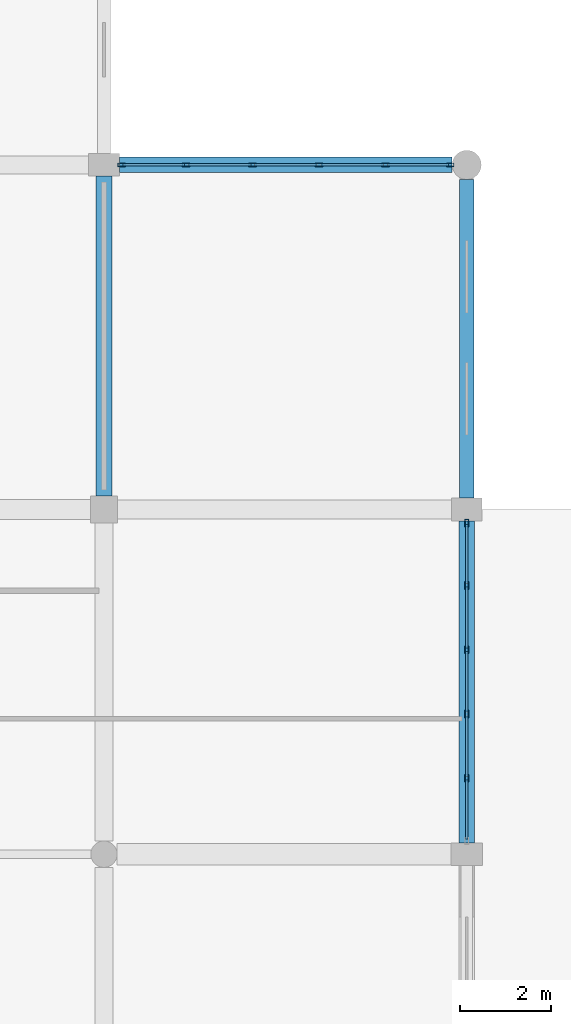
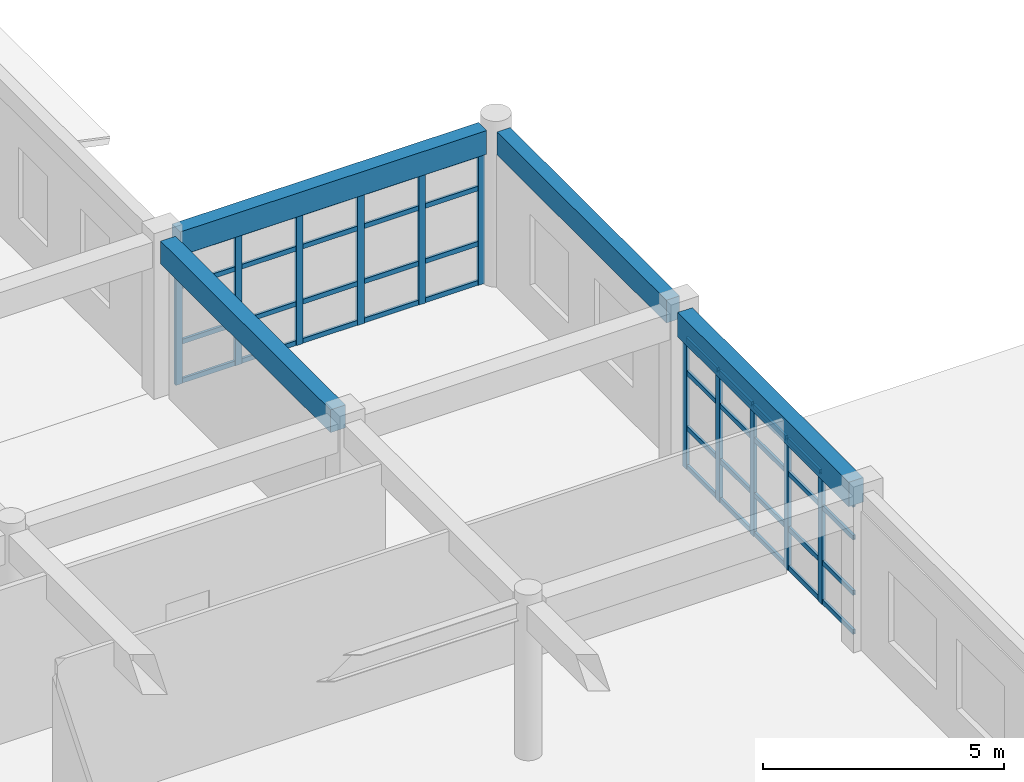
# One storey, part 24 of 121: 51 members, 4 beams, 2 elements without a shape of their own.
"""IFC4 building model written with IfcOpenShell, lengths in metres."""

from ifc_helpers import new_model, si_unit, direction, frame, origin, origin_2d, place, context, subcontext, project, spatial, rectangle, hollow_rectangle, extrude, material, material_profile, profile_set, type_object, element, aggregate, save


model = new_model("IFC4")

# Units and contexts
model_context = context("Model", 3, precision=1e-05, world=origin(), true_north=direction((0.0, 1.0)))
body_context = subcontext(model_context, "Body", "Model", "MODEL_VIEW")
ifc_project = project(units=[si_unit("LENGTHUNIT", "METRE"), si_unit("AREAUNIT", "SQUARE_METRE"), si_unit("VOLUMEUNIT", "CUBIC_METRE"), si_unit("PLANEANGLEUNIT", "RADIAN"), si_unit("MASSUNIT", "GRAM", prefix="KILO")], contexts=[model_context])

# Site, building, storey
site_placement = place(None, origin())
site = spatial("IfcSite", under=ifc_project, at=site_placement, CompositionType="ELEMENT")
building_placement = place(site_placement, origin())
building = spatial("IfcBuilding", under=site, at=building_placement, Name="Kharva Crest Polytechnic", CompositionType="ELEMENT")
storey_placement = place(building_placement, frame((0.0, 0.0, 13.199951171875)))
storey = spatial("IfcBuildingStorey", under=building, at=storey_placement, Name="L03", CompositionType="ELEMENT", Elevation=13.199951171875)

# Beam
ifc_material_1 = material(Name="Concrete C35/45", Category="concrete")
ifc_material_profile_1 = material_profile(ifc_material_1, rectangle(XDim=0.360107421875, YDim=0.580078125, at=origin_2d()), Name="RECT 360 X 580")
ifc_profile_set_1 = profile_set([ifc_material_profile_1], Name="Concrete C35/45")
beam_type_1 = type_object("IfcBeamType", Name="BM-RC-360X580", PredefinedType="BEAM", material=ifc_profile_set_1)
beam_1_placement = place(storey_placement, frame((48.0, 23.10009765625, 3.670166015625), z_axis=(0.0, 1.0, 0.0), x_axis=(-1.0, 0.0, 0.0)))
element("IfcBeam", 1, at=beam_1_placement, inside=storey, type_object=beam_type_1, Name="L03 Girder 7/D-E", PredefinedType="BEAM", context=body_context, shape_type="SweptSolid", body=[
    extrude(rectangle(XDim=0.360107421875, YDim=0.580078125, at=origin_2d()), origin(), (0.0, 0.0, 1.0), 7.0498046875),
])

# Curtain wall, members
ifc_material_2 = material(Name="Tempered insulated glass", Category="glass")
curtain_wall_type = type_object("IfcCurtainWallType", Name="CW-SYS-COURT", PredefinedType="USERDEFINED", material=ifc_material_2)
curtain_wall_1_placement = place(storey_placement, origin())
curtain_wall_1 = element("IfcCurtainWall", 2, at=curtain_wall_1_placement, inside=storey, type_object=curtain_wall_type, Name="L03 Glazed Curtain Wall CW-125", ObjectType="CURTAIN WALL", PredefinedType="USERDEFINED")
ifc_material_3 = material(Name="Steel S355", Category="steel")
ifc_material_profile_2 = material_profile(ifc_material_3, hollow_rectangle(XDim=0.080078125, YDim=0.159912109375, WallThickness=0.0048828125, at=origin_2d()), Name="RHS 160X80X5.0")
ifc_profile_set_2 = profile_set([ifc_material_profile_2], Name="Steel S355")
member_type_1 = type_object("IfcMemberType", Name="CWM-RHS160X80", PredefinedType="MULLION", material=ifc_profile_set_2)
member_1_placement = place(storey_placement, frame((56.0, 16.873046875, 0.0), z_axis=(0.0, 0.0, 1.0), x_axis=(-1.0, 0.0, 0.0)))
member_1 = element("IfcMember", 3, at=member_1_placement, type_object=member_type_1, Name="CW-125 mullion 2", PredefinedType="MULLION", context=body_context, shape_type="SweptSolid", body=[
    extrude(hollow_rectangle(XDim=0.080078125, YDim=0.159912109375, WallThickness=0.0048828125, at=origin_2d()), origin(), (0.0, 0.0, 1.0), 3.340087890625),
])
member_2_placement = place(storey_placement, frame((56.0, 18.291015625, 0.0), z_axis=(0.0, 0.0, 1.0), x_axis=(-1.0, 0.0, 0.0)))
member_2 = element("IfcMember", 4, at=member_2_placement, type_object=member_type_1, Name="CW-125 mullion 3", PredefinedType="MULLION", context=body_context, shape_type="SweptSolid", body=[
    extrude(hollow_rectangle(XDim=0.080078125, YDim=0.159912109375, WallThickness=0.0048828125, at=origin_2d()), origin(), (0.0, 0.0, 1.0), 3.340087890625),
])
member_3_placement = place(storey_placement, frame((56.0, 19.708984375, 0.0), z_axis=(0.0, 0.0, 1.0), x_axis=(-1.0, 0.0, 0.0)))
member_3 = element("IfcMember", 5, at=member_3_placement, type_object=member_type_1, Name="CW-125 mullion 4", PredefinedType="MULLION", context=body_context, shape_type="SweptSolid", body=[
    extrude(hollow_rectangle(XDim=0.080078125, YDim=0.159912109375, WallThickness=0.0048828125, at=origin_2d()), origin(), (0.0, 0.0, 1.0), 3.340087890625),
])
member_4_placement = place(storey_placement, frame((56.0, 21.126953125, 0.0), z_axis=(0.0, 0.0, 1.0), x_axis=(-1.0, 0.0, 0.0)))
member_4 = element("IfcMember", 6, at=member_4_placement, type_object=member_type_1, Name="CW-125 mullion 5", PredefinedType="MULLION", context=body_context, shape_type="SweptSolid", body=[
    extrude(hollow_rectangle(XDim=0.080078125, YDim=0.159912109375, WallThickness=0.0048828125, at=origin_2d()), origin(), (0.0, 0.0, 1.0), 3.340087890625),
])
member_5_placement = place(storey_placement, frame((56.0, 22.5048828125, 0.0), z_axis=(0.0, 0.0, 1.0), x_axis=(-1.0, 0.0, 0.0)))
member_5 = element("IfcMember", 7, at=member_5_placement, type_object=member_type_1, Name="CW-125 mullion 6", PredefinedType="MULLION", context=body_context, shape_type="SweptSolid", body=[
    extrude(hollow_rectangle(XDim=0.080078125, YDim=0.159912109375, WallThickness=0.0048828125, at=origin_2d()), origin(), (0.0, 0.0, 1.0), 3.340087890625),
])

curtain_wall_2_placement = place(storey_placement, origin())
curtain_wall_2 = element("IfcCurtainWall", 8, at=curtain_wall_2_placement, inside=storey, type_object=curtain_wall_type, Name="L03 Glazed Curtain Wall CW-126", ObjectType="CURTAIN WALL", PredefinedType="USERDEFINED")
member_6_placement = place(storey_placement, frame((55.635009765625, 30.39990234375, 0.0), z_axis=(0.0, 0.0, 1.0), x_axis=(0.0, -1.0, 0.0)))
member_6 = element("IfcMember", 9, at=member_6_placement, type_object=member_type_1, Name="CW-126 mullion 1", PredefinedType="MULLION", context=body_context, shape_type="SweptSolid", body=[
    extrude(hollow_rectangle(XDim=0.080078125, YDim=0.159912109375, WallThickness=0.0048828125, at=origin_2d()), origin(), (0.0, 0.0, 1.0), 3.360107421875),
])
member_7_placement = place(storey_placement, frame((54.208984375, 30.39990234375, 0.0), z_axis=(0.0, 0.0, 1.0), x_axis=(0.0, -1.0, 0.0)))
member_7 = element("IfcMember", 10, at=member_7_placement, type_object=member_type_1, Name="CW-126 mullion 2", PredefinedType="MULLION", context=body_context, shape_type="SweptSolid", body=[
    extrude(hollow_rectangle(XDim=0.080078125, YDim=0.159912109375, WallThickness=0.0048828125, at=origin_2d()), origin(), (0.0, 0.0, 1.0), 3.360107421875),
])
member_8_placement = place(storey_placement, frame((52.742919921875, 30.39990234375, 0.0), z_axis=(0.0, 0.0, 1.0), x_axis=(0.0, -1.0, 0.0)))
member_8 = element("IfcMember", 11, at=member_8_placement, type_object=member_type_1, Name="CW-126 mullion 3", PredefinedType="MULLION", context=body_context, shape_type="SweptSolid", body=[
    extrude(hollow_rectangle(XDim=0.080078125, YDim=0.159912109375, WallThickness=0.0048828125, at=origin_2d()), origin(), (0.0, 0.0, 1.0), 3.360107421875),
])
member_9_placement = place(storey_placement, frame((51.277099609375, 30.39990234375, 0.0), z_axis=(0.0, 0.0, 1.0), x_axis=(0.0, -1.0, 0.0)))
member_9 = element("IfcMember", 12, at=member_9_placement, type_object=member_type_1, Name="CW-126 mullion 4", PredefinedType="MULLION", context=body_context, shape_type="SweptSolid", body=[
    extrude(hollow_rectangle(XDim=0.080078125, YDim=0.159912109375, WallThickness=0.0048828125, at=origin_2d()), origin(), (0.0, 0.0, 1.0), 3.360107421875),
])
member_10_placement = place(storey_placement, frame((49.81103515625, 30.39990234375, 0.0), z_axis=(0.0, 0.0, 1.0), x_axis=(0.0, -1.0, 0.0)))
member_10 = element("IfcMember", 13, at=member_10_placement, type_object=member_type_1, Name="CW-126 mullion 5", PredefinedType="MULLION", context=body_context, shape_type="SweptSolid", body=[
    extrude(hollow_rectangle(XDim=0.080078125, YDim=0.159912109375, WallThickness=0.0048828125, at=origin_2d()), origin(), (0.0, 0.0, 1.0), 3.360107421875),
])
member_11_placement = place(storey_placement, frame((48.385009765625, 30.39990234375, 0.0), z_axis=(0.0, 0.0, 1.0), x_axis=(0.0, -1.0, 0.0)))
member_11 = element("IfcMember", 14, at=member_11_placement, type_object=member_type_1, Name="CW-126 mullion 6", PredefinedType="MULLION", context=body_context, shape_type="SweptSolid", body=[
    extrude(hollow_rectangle(XDim=0.080078125, YDim=0.159912109375, WallThickness=0.0048828125, at=origin_2d()), origin(), (0.0, 0.0, 1.0), 3.360107421875),
])

# Member
ifc_material_profile_3 = material_profile(ifc_material_3, hollow_rectangle(XDim=0.06005859375, YDim=0.1201171875, WallThickness=0.00390625, at=origin_2d()), Name="RHS 120X60X4.0")
ifc_profile_set_3 = profile_set([ifc_material_profile_3], Name="Steel S355")
member_type_2 = type_object("IfcMemberType", Name="CWT-RHS120X60", PredefinedType="USERDEFINED", material=ifc_profile_set_3)
member_12_placement = place(storey_placement, frame((56.0, 15.534912109375, 0.06005859375), z_axis=(0.0, 1.0, 0.0), x_axis=(-1.0, 0.0, 0.0)))
member_12 = element("IfcMember", 15, at=member_12_placement, type_object=member_type_2, Name="CW-125 transom 1.1", ObjectType="TRANSOM", PredefinedType="USERDEFINED", context=body_context, shape_type="SweptSolid", body=[
    extrude(hollow_rectangle(XDim=0.06005859375, YDim=0.1201171875, WallThickness=0.00390625, at=origin_2d()), origin(), (0.0, 0.0, 1.0), 1.298095703125),
])

member_13_placement = place(storey_placement, frame((56.0, 15.534912109375, 1.050048828125), z_axis=(0.0, 1.0, 0.0), x_axis=(-1.0, 0.0, 0.0)))
member_13 = element("IfcMember", 16, at=member_13_placement, type_object=member_type_2, Name="CW-125 transom 1.2", ObjectType="TRANSOM", PredefinedType="USERDEFINED", context=body_context, shape_type="SweptSolid", body=[
    extrude(hollow_rectangle(XDim=0.06005859375, YDim=0.1201171875, WallThickness=0.00390625, at=origin_2d()), origin(), (0.0, 0.0, 1.0), 1.298095703125),
])

member_14_placement = place(storey_placement, frame((56.0, 15.534912109375, 2.449951171875), z_axis=(0.0, 1.0, 0.0), x_axis=(-1.0, 0.0, 0.0)))
member_14 = element("IfcMember", 17, at=member_14_placement, type_object=member_type_2, Name="CW-125 transom 1.3", ObjectType="TRANSOM", PredefinedType="USERDEFINED", context=body_context, shape_type="SweptSolid", body=[
    extrude(hollow_rectangle(XDim=0.06005859375, YDim=0.1201171875, WallThickness=0.00390625, at=origin_2d()), origin(), (0.0, 0.0, 1.0), 1.298095703125),
])

member_15_placement = place(storey_placement, frame((56.0, 15.534912109375, 3.280029296875), z_axis=(0.0, 1.0, 0.0), x_axis=(-1.0, 0.0, 0.0)))
member_15 = element("IfcMember", 18, at=member_15_placement, type_object=member_type_2, Name="CW-125 transom 1.4", ObjectType="TRANSOM", PredefinedType="USERDEFINED", context=body_context, shape_type="SweptSolid", body=[
    extrude(hollow_rectangle(XDim=0.06005859375, YDim=0.1201171875, WallThickness=0.00390625, at=origin_2d()), origin(), (0.0, 0.0, 1.0), 1.298095703125),
])

member_16_placement = place(storey_placement, frame((56.0, 16.9130859375, 0.06005859375), z_axis=(0.0, 1.0, 0.0), x_axis=(-1.0, 0.0, 0.0)))
member_16 = element("IfcMember", 19, at=member_16_placement, type_object=member_type_2, Name="CW-125 transom 2.1", ObjectType="TRANSOM", PredefinedType="USERDEFINED", context=body_context, shape_type="SweptSolid", body=[
    extrude(hollow_rectangle(XDim=0.06005859375, YDim=0.1201171875, WallThickness=0.00390625, at=origin_2d()), origin(), (0.0, 0.0, 1.0), 1.337890625),
])

member_17_placement = place(storey_placement, frame((56.0, 16.9130859375, 1.050048828125), z_axis=(0.0, 1.0, 0.0), x_axis=(-1.0, 0.0, 0.0)))
member_17 = element("IfcMember", 20, at=member_17_placement, type_object=member_type_2, Name="CW-125 transom 2.2", ObjectType="TRANSOM", PredefinedType="USERDEFINED", context=body_context, shape_type="SweptSolid", body=[
    extrude(hollow_rectangle(XDim=0.06005859375, YDim=0.1201171875, WallThickness=0.00390625, at=origin_2d()), origin(), (0.0, 0.0, 1.0), 1.337890625),
])

member_18_placement = place(storey_placement, frame((56.0, 16.9130859375, 2.449951171875), z_axis=(0.0, 1.0, 0.0), x_axis=(-1.0, 0.0, 0.0)))
member_18 = element("IfcMember", 21, at=member_18_placement, type_object=member_type_2, Name="CW-125 transom 2.3", ObjectType="TRANSOM", PredefinedType="USERDEFINED", context=body_context, shape_type="SweptSolid", body=[
    extrude(hollow_rectangle(XDim=0.06005859375, YDim=0.1201171875, WallThickness=0.00390625, at=origin_2d()), origin(), (0.0, 0.0, 1.0), 1.337890625),
])

member_19_placement = place(storey_placement, frame((56.0, 16.9130859375, 3.280029296875), z_axis=(0.0, 1.0, 0.0), x_axis=(-1.0, 0.0, 0.0)))
member_19 = element("IfcMember", 22, at=member_19_placement, type_object=member_type_2, Name="CW-125 transom 2.4", ObjectType="TRANSOM", PredefinedType="USERDEFINED", context=body_context, shape_type="SweptSolid", body=[
    extrude(hollow_rectangle(XDim=0.06005859375, YDim=0.1201171875, WallThickness=0.00390625, at=origin_2d()), origin(), (0.0, 0.0, 1.0), 1.337890625),
])

member_20_placement = place(storey_placement, frame((56.0, 18.3310546875, 0.06005859375), z_axis=(0.0, 1.0, 0.0), x_axis=(-1.0, 0.0, 0.0)))
member_20 = element("IfcMember", 23, at=member_20_placement, type_object=member_type_2, Name="CW-125 transom 3.1", ObjectType="TRANSOM", PredefinedType="USERDEFINED", context=body_context, shape_type="SweptSolid", body=[
    extrude(hollow_rectangle(XDim=0.06005859375, YDim=0.1201171875, WallThickness=0.00390625, at=origin_2d()), origin(), (0.0, 0.0, 1.0), 1.337890625),
])

member_21_placement = place(storey_placement, frame((56.0, 18.3310546875, 1.050048828125), z_axis=(0.0, 1.0, 0.0), x_axis=(-1.0, 0.0, 0.0)))
member_21 = element("IfcMember", 24, at=member_21_placement, type_object=member_type_2, Name="CW-125 transom 3.2", ObjectType="TRANSOM", PredefinedType="USERDEFINED", context=body_context, shape_type="SweptSolid", body=[
    extrude(hollow_rectangle(XDim=0.06005859375, YDim=0.1201171875, WallThickness=0.00390625, at=origin_2d()), origin(), (0.0, 0.0, 1.0), 1.337890625),
])

member_22_placement = place(storey_placement, frame((56.0, 18.3310546875, 2.449951171875), z_axis=(0.0, 1.0, 0.0), x_axis=(-1.0, 0.0, 0.0)))
member_22 = element("IfcMember", 25, at=member_22_placement, type_object=member_type_2, Name="CW-125 transom 3.3", ObjectType="TRANSOM", PredefinedType="USERDEFINED", context=body_context, shape_type="SweptSolid", body=[
    extrude(hollow_rectangle(XDim=0.06005859375, YDim=0.1201171875, WallThickness=0.00390625, at=origin_2d()), origin(), (0.0, 0.0, 1.0), 1.337890625),
])

member_23_placement = place(storey_placement, frame((56.0, 18.3310546875, 3.280029296875), z_axis=(0.0, 1.0, 0.0), x_axis=(-1.0, 0.0, 0.0)))
member_23 = element("IfcMember", 26, at=member_23_placement, type_object=member_type_2, Name="CW-125 transom 3.4", ObjectType="TRANSOM", PredefinedType="USERDEFINED", context=body_context, shape_type="SweptSolid", body=[
    extrude(hollow_rectangle(XDim=0.06005859375, YDim=0.1201171875, WallThickness=0.00390625, at=origin_2d()), origin(), (0.0, 0.0, 1.0), 1.337890625),
])

member_24_placement = place(storey_placement, frame((56.0, 19.7490234375, 0.06005859375), z_axis=(0.0, 1.0, 0.0), x_axis=(-1.0, 0.0, 0.0)))
member_24 = element("IfcMember", 27, at=member_24_placement, type_object=member_type_2, Name="CW-125 transom 4.1", ObjectType="TRANSOM", PredefinedType="USERDEFINED", context=body_context, shape_type="SweptSolid", body=[
    extrude(hollow_rectangle(XDim=0.06005859375, YDim=0.1201171875, WallThickness=0.00390625, at=origin_2d()), origin(), (0.0, 0.0, 1.0), 1.337890625),
])

member_25_placement = place(storey_placement, frame((56.0, 19.7490234375, 1.050048828125), z_axis=(0.0, 1.0, 0.0), x_axis=(-1.0, 0.0, 0.0)))
member_25 = element("IfcMember", 28, at=member_25_placement, type_object=member_type_2, Name="CW-125 transom 4.2", ObjectType="TRANSOM", PredefinedType="USERDEFINED", context=body_context, shape_type="SweptSolid", body=[
    extrude(hollow_rectangle(XDim=0.06005859375, YDim=0.1201171875, WallThickness=0.00390625, at=origin_2d()), origin(), (0.0, 0.0, 1.0), 1.337890625),
])

member_26_placement = place(storey_placement, frame((56.0, 19.7490234375, 2.449951171875), z_axis=(0.0, 1.0, 0.0), x_axis=(-1.0, 0.0, 0.0)))
member_26 = element("IfcMember", 29, at=member_26_placement, type_object=member_type_2, Name="CW-125 transom 4.3", ObjectType="TRANSOM", PredefinedType="USERDEFINED", context=body_context, shape_type="SweptSolid", body=[
    extrude(hollow_rectangle(XDim=0.06005859375, YDim=0.1201171875, WallThickness=0.00390625, at=origin_2d()), origin(), (0.0, 0.0, 1.0), 1.337890625),
])

member_27_placement = place(storey_placement, frame((56.0, 19.7490234375, 3.280029296875), z_axis=(0.0, 1.0, 0.0), x_axis=(-1.0, 0.0, 0.0)))
member_27 = element("IfcMember", 30, at=member_27_placement, type_object=member_type_2, Name="CW-125 transom 4.4", ObjectType="TRANSOM", PredefinedType="USERDEFINED", context=body_context, shape_type="SweptSolid", body=[
    extrude(hollow_rectangle(XDim=0.06005859375, YDim=0.1201171875, WallThickness=0.00390625, at=origin_2d()), origin(), (0.0, 0.0, 1.0), 1.337890625),
])

member_28_placement = place(storey_placement, frame((56.0, 21.1669921875, 0.06005859375), z_axis=(0.0, 1.0, 0.0), x_axis=(-1.0, 0.0, 0.0)))
member_28 = element("IfcMember", 31, at=member_28_placement, type_object=member_type_2, Name="CW-125 transom 5.1", ObjectType="TRANSOM", PredefinedType="USERDEFINED", context=body_context, shape_type="SweptSolid", body=[
    extrude(hollow_rectangle(XDim=0.06005859375, YDim=0.1201171875, WallThickness=0.00390625, at=origin_2d()), origin(), (0.0, 0.0, 1.0), 1.298095703125),
])

member_29_placement = place(storey_placement, frame((56.0, 21.1669921875, 1.050048828125), z_axis=(0.0, 1.0, 0.0), x_axis=(-1.0, 0.0, 0.0)))
member_29 = element("IfcMember", 32, at=member_29_placement, type_object=member_type_2, Name="CW-125 transom 5.2", ObjectType="TRANSOM", PredefinedType="USERDEFINED", context=body_context, shape_type="SweptSolid", body=[
    extrude(hollow_rectangle(XDim=0.06005859375, YDim=0.1201171875, WallThickness=0.00390625, at=origin_2d()), origin(), (0.0, 0.0, 1.0), 1.298095703125),
])

member_30_placement = place(storey_placement, frame((56.0, 21.1669921875, 2.449951171875), z_axis=(0.0, 1.0, 0.0), x_axis=(-1.0, 0.0, 0.0)))
member_30 = element("IfcMember", 33, at=member_30_placement, type_object=member_type_2, Name="CW-125 transom 5.3", ObjectType="TRANSOM", PredefinedType="USERDEFINED", context=body_context, shape_type="SweptSolid", body=[
    extrude(hollow_rectangle(XDim=0.06005859375, YDim=0.1201171875, WallThickness=0.00390625, at=origin_2d()), origin(), (0.0, 0.0, 1.0), 1.298095703125),
])

member_31_placement = place(storey_placement, frame((56.0, 21.1669921875, 3.280029296875), z_axis=(0.0, 1.0, 0.0), x_axis=(-1.0, 0.0, 0.0)))
member_31 = element("IfcMember", 34, at=member_31_placement, type_object=member_type_2, Name="CW-125 transom 5.4", ObjectType="TRANSOM", PredefinedType="USERDEFINED", context=body_context, shape_type="SweptSolid", body=[
    extrude(hollow_rectangle(XDim=0.06005859375, YDim=0.1201171875, WallThickness=0.00390625, at=origin_2d()), origin(), (0.0, 0.0, 1.0), 1.298095703125),
])

aggregate(curtain_wall_1, [member_1, member_2, member_3, member_4, member_5, member_12, member_13, member_14, member_15, member_16, member_17, member_18, member_19, member_20, member_21, member_22, member_23, member_24, member_25, member_26, member_27, member_28, member_29, member_30, member_31])

member_32_placement = place(storey_placement, frame((55.594970703125, 30.39990234375, 0.06005859375), z_axis=(-1.0, 0.0, 0.0), x_axis=(0.0, -1.0, 0.0)))
member_32 = element("IfcMember", 35, at=member_32_placement, type_object=member_type_2, Name="CW-126 transom 1.1", ObjectType="TRANSOM", PredefinedType="USERDEFINED", context=body_context, shape_type="SweptSolid", body=[
    extrude(hollow_rectangle(XDim=0.06005859375, YDim=0.1201171875, WallThickness=0.00390625, at=origin_2d()), origin(), (0.0, 0.0, 1.0), 1.345947265625),
])

member_33_placement = place(storey_placement, frame((55.594970703125, 30.39990234375, 1.050048828125), z_axis=(-1.0, 0.0, 0.0), x_axis=(0.0, -1.0, 0.0)))
member_33 = element("IfcMember", 36, at=member_33_placement, type_object=member_type_2, Name="CW-126 transom 1.2", ObjectType="TRANSOM", PredefinedType="USERDEFINED", context=body_context, shape_type="SweptSolid", body=[
    extrude(hollow_rectangle(XDim=0.06005859375, YDim=0.1201171875, WallThickness=0.00390625, at=origin_2d()), origin(), (0.0, 0.0, 1.0), 1.345947265625),
])

member_34_placement = place(storey_placement, frame((55.594970703125, 30.39990234375, 2.449951171875), z_axis=(-1.0, 0.0, 0.0), x_axis=(0.0, -1.0, 0.0)))
member_34 = element("IfcMember", 37, at=member_34_placement, type_object=member_type_2, Name="CW-126 transom 1.3", ObjectType="TRANSOM", PredefinedType="USERDEFINED", context=body_context, shape_type="SweptSolid", body=[
    extrude(hollow_rectangle(XDim=0.06005859375, YDim=0.1201171875, WallThickness=0.00390625, at=origin_2d()), origin(), (0.0, 0.0, 1.0), 1.345947265625),
])

member_35_placement = place(storey_placement, frame((55.594970703125, 30.39990234375, 3.300048828125), z_axis=(-1.0, 0.0, 0.0), x_axis=(0.0, -1.0, 0.0)))
member_35 = element("IfcMember", 38, at=member_35_placement, type_object=member_type_2, Name="CW-126 transom 1.4", ObjectType="TRANSOM", PredefinedType="USERDEFINED", context=body_context, shape_type="SweptSolid", body=[
    extrude(hollow_rectangle(XDim=0.06005859375, YDim=0.1201171875, WallThickness=0.00390625, at=origin_2d()), origin(), (0.0, 0.0, 1.0), 1.345947265625),
])

member_36_placement = place(storey_placement, frame((54.1689453125, 30.39990234375, 0.06005859375), z_axis=(-1.0, 0.0, 0.0), x_axis=(0.0, -1.0, 0.0)))
member_36 = element("IfcMember", 39, at=member_36_placement, type_object=member_type_2, Name="CW-126 transom 2.1", ObjectType="TRANSOM", PredefinedType="USERDEFINED", context=body_context, shape_type="SweptSolid", body=[
    extrude(hollow_rectangle(XDim=0.06005859375, YDim=0.1201171875, WallThickness=0.00390625, at=origin_2d()), origin(), (0.0, 0.0, 1.0), 1.385986328125),
])

member_37_placement = place(storey_placement, frame((54.1689453125, 30.39990234375, 1.050048828125), z_axis=(-1.0, 0.0, 0.0), x_axis=(0.0, -1.0, 0.0)))
member_37 = element("IfcMember", 40, at=member_37_placement, type_object=member_type_2, Name="CW-126 transom 2.2", ObjectType="TRANSOM", PredefinedType="USERDEFINED", context=body_context, shape_type="SweptSolid", body=[
    extrude(hollow_rectangle(XDim=0.06005859375, YDim=0.1201171875, WallThickness=0.00390625, at=origin_2d()), origin(), (0.0, 0.0, 1.0), 1.385986328125),
])

member_38_placement = place(storey_placement, frame((54.1689453125, 30.39990234375, 2.449951171875), z_axis=(-1.0, 0.0, 0.0), x_axis=(0.0, -1.0, 0.0)))
member_38 = element("IfcMember", 41, at=member_38_placement, type_object=member_type_2, Name="CW-126 transom 2.3", ObjectType="TRANSOM", PredefinedType="USERDEFINED", context=body_context, shape_type="SweptSolid", body=[
    extrude(hollow_rectangle(XDim=0.06005859375, YDim=0.1201171875, WallThickness=0.00390625, at=origin_2d()), origin(), (0.0, 0.0, 1.0), 1.385986328125),
])

member_39_placement = place(storey_placement, frame((54.1689453125, 30.39990234375, 3.300048828125), z_axis=(-1.0, 0.0, 0.0), x_axis=(0.0, -1.0, 0.0)))
member_39 = element("IfcMember", 42, at=member_39_placement, type_object=member_type_2, Name="CW-126 transom 2.4", ObjectType="TRANSOM", PredefinedType="USERDEFINED", context=body_context, shape_type="SweptSolid", body=[
    extrude(hollow_rectangle(XDim=0.06005859375, YDim=0.1201171875, WallThickness=0.00390625, at=origin_2d()), origin(), (0.0, 0.0, 1.0), 1.385986328125),
])

member_40_placement = place(storey_placement, frame((52.702880859375, 30.39990234375, 0.06005859375), z_axis=(-1.0, 0.0, 0.0), x_axis=(0.0, -1.0, 0.0)))
member_40 = element("IfcMember", 43, at=member_40_placement, type_object=member_type_2, Name="CW-126 transom 3.1", ObjectType="TRANSOM", PredefinedType="USERDEFINED", context=body_context, shape_type="SweptSolid", body=[
    extrude(hollow_rectangle(XDim=0.06005859375, YDim=0.1201171875, WallThickness=0.00390625, at=origin_2d()), origin(), (0.0, 0.0, 1.0), 1.385986328125),
])

member_41_placement = place(storey_placement, frame((52.702880859375, 30.39990234375, 1.050048828125), z_axis=(-1.0, 0.0, 0.0), x_axis=(0.0, -1.0, 0.0)))
member_41 = element("IfcMember", 44, at=member_41_placement, type_object=member_type_2, Name="CW-126 transom 3.2", ObjectType="TRANSOM", PredefinedType="USERDEFINED", context=body_context, shape_type="SweptSolid", body=[
    extrude(hollow_rectangle(XDim=0.06005859375, YDim=0.1201171875, WallThickness=0.00390625, at=origin_2d()), origin(), (0.0, 0.0, 1.0), 1.385986328125),
])

member_42_placement = place(storey_placement, frame((52.702880859375, 30.39990234375, 2.449951171875), z_axis=(-1.0, 0.0, 0.0), x_axis=(0.0, -1.0, 0.0)))
member_42 = element("IfcMember", 45, at=member_42_placement, type_object=member_type_2, Name="CW-126 transom 3.3", ObjectType="TRANSOM", PredefinedType="USERDEFINED", context=body_context, shape_type="SweptSolid", body=[
    extrude(hollow_rectangle(XDim=0.06005859375, YDim=0.1201171875, WallThickness=0.00390625, at=origin_2d()), origin(), (0.0, 0.0, 1.0), 1.385986328125),
])

member_43_placement = place(storey_placement, frame((52.702880859375, 30.39990234375, 3.300048828125), z_axis=(-1.0, 0.0, 0.0), x_axis=(0.0, -1.0, 0.0)))
member_43 = element("IfcMember", 46, at=member_43_placement, type_object=member_type_2, Name="CW-126 transom 3.4", ObjectType="TRANSOM", PredefinedType="USERDEFINED", context=body_context, shape_type="SweptSolid", body=[
    extrude(hollow_rectangle(XDim=0.06005859375, YDim=0.1201171875, WallThickness=0.00390625, at=origin_2d()), origin(), (0.0, 0.0, 1.0), 1.385986328125),
])

member_44_placement = place(storey_placement, frame((51.237060546875, 30.39990234375, 0.06005859375), z_axis=(-1.0, 0.0, 0.0), x_axis=(0.0, -1.0, 0.0)))
member_44 = element("IfcMember", 47, at=member_44_placement, type_object=member_type_2, Name="CW-126 transom 4.1", ObjectType="TRANSOM", PredefinedType="USERDEFINED", context=body_context, shape_type="SweptSolid", body=[
    extrude(hollow_rectangle(XDim=0.06005859375, YDim=0.1201171875, WallThickness=0.00390625, at=origin_2d()), origin(), (0.0, 0.0, 1.0), 1.385986328125),
])

member_45_placement = place(storey_placement, frame((51.237060546875, 30.39990234375, 1.050048828125), z_axis=(-1.0, 0.0, 0.0), x_axis=(0.0, -1.0, 0.0)))
member_45 = element("IfcMember", 48, at=member_45_placement, type_object=member_type_2, Name="CW-126 transom 4.2", ObjectType="TRANSOM", PredefinedType="USERDEFINED", context=body_context, shape_type="SweptSolid", body=[
    extrude(hollow_rectangle(XDim=0.06005859375, YDim=0.1201171875, WallThickness=0.00390625, at=origin_2d()), origin(), (0.0, 0.0, 1.0), 1.385986328125),
])

member_46_placement = place(storey_placement, frame((51.237060546875, 30.39990234375, 2.449951171875), z_axis=(-1.0, 0.0, 0.0), x_axis=(0.0, -1.0, 0.0)))
member_46 = element("IfcMember", 49, at=member_46_placement, type_object=member_type_2, Name="CW-126 transom 4.3", ObjectType="TRANSOM", PredefinedType="USERDEFINED", context=body_context, shape_type="SweptSolid", body=[
    extrude(hollow_rectangle(XDim=0.06005859375, YDim=0.1201171875, WallThickness=0.00390625, at=origin_2d()), origin(), (0.0, 0.0, 1.0), 1.385986328125),
])

member_47_placement = place(storey_placement, frame((51.237060546875, 30.39990234375, 3.300048828125), z_axis=(-1.0, 0.0, 0.0), x_axis=(0.0, -1.0, 0.0)))
member_47 = element("IfcMember", 50, at=member_47_placement, type_object=member_type_2, Name="CW-126 transom 4.4", ObjectType="TRANSOM", PredefinedType="USERDEFINED", context=body_context, shape_type="SweptSolid", body=[
    extrude(hollow_rectangle(XDim=0.06005859375, YDim=0.1201171875, WallThickness=0.00390625, at=origin_2d()), origin(), (0.0, 0.0, 1.0), 1.385986328125),
])

member_48_placement = place(storey_placement, frame((49.77099609375, 30.39990234375, 0.06005859375), z_axis=(-1.0, 0.0, 0.0), x_axis=(0.0, -1.0, 0.0)))
member_48 = element("IfcMember", 51, at=member_48_placement, type_object=member_type_2, Name="CW-126 transom 5.1", ObjectType="TRANSOM", PredefinedType="USERDEFINED", context=body_context, shape_type="SweptSolid", body=[
    extrude(hollow_rectangle(XDim=0.06005859375, YDim=0.1201171875, WallThickness=0.00390625, at=origin_2d()), origin(), (0.0, 0.0, 1.0), 1.345947265625),
])

member_49_placement = place(storey_placement, frame((49.77099609375, 30.39990234375, 1.050048828125), z_axis=(-1.0, 0.0, 0.0), x_axis=(0.0, -1.0, 0.0)))
member_49 = element("IfcMember", 52, at=member_49_placement, type_object=member_type_2, Name="CW-126 transom 5.2", ObjectType="TRANSOM", PredefinedType="USERDEFINED", context=body_context, shape_type="SweptSolid", body=[
    extrude(hollow_rectangle(XDim=0.06005859375, YDim=0.1201171875, WallThickness=0.00390625, at=origin_2d()), origin(), (0.0, 0.0, 1.0), 1.345947265625),
])

member_50_placement = place(storey_placement, frame((49.77099609375, 30.39990234375, 2.449951171875), z_axis=(-1.0, 0.0, 0.0), x_axis=(0.0, -1.0, 0.0)))
member_50 = element("IfcMember", 53, at=member_50_placement, type_object=member_type_2, Name="CW-126 transom 5.3", ObjectType="TRANSOM", PredefinedType="USERDEFINED", context=body_context, shape_type="SweptSolid", body=[
    extrude(hollow_rectangle(XDim=0.06005859375, YDim=0.1201171875, WallThickness=0.00390625, at=origin_2d()), origin(), (0.0, 0.0, 1.0), 1.345947265625),
])

member_51_placement = place(storey_placement, frame((49.77099609375, 30.39990234375, 3.300048828125), z_axis=(-1.0, 0.0, 0.0), x_axis=(0.0, -1.0, 0.0)))
member_51 = element("IfcMember", 54, at=member_51_placement, type_object=member_type_2, Name="CW-126 transom 5.4", ObjectType="TRANSOM", PredefinedType="USERDEFINED", context=body_context, shape_type="SweptSolid", body=[
    extrude(hollow_rectangle(XDim=0.06005859375, YDim=0.1201171875, WallThickness=0.00390625, at=origin_2d()), origin(), (0.0, 0.0, 1.0), 1.345947265625),
])

aggregate(curtain_wall_2, [member_6, member_7, member_8, member_9, member_10, member_11, member_32, member_33, member_34, member_35, member_36, member_37, member_38, member_39, member_40, member_41, member_42, member_43, member_44, member_45, member_46, member_47, member_48, member_49, member_50, member_51])

# Beams
ifc_material_profile_4 = material_profile(ifc_material_1, rectangle(XDim=0.320068359375, YDim=0.580078125, at=origin_2d()), Name="RECT 320 X 580")
ifc_profile_set_4 = profile_set([ifc_material_profile_4], Name="Concrete C35/45")
beam_type_2 = type_object("IfcBeamType", Name="SP-RC-320X580", PredefinedType="SPANDREL", material=ifc_profile_set_4)
beam_2_placement = place(storey_placement, frame((56.0, 23.050048828125, 3.670166015625), z_axis=(0.0, 1.0, 0.0), x_axis=(-1.0, 0.0, 0.0)))
element("IfcBeam", 55, at=beam_2_placement, inside=storey, type_object=beam_type_2, Name="L03 Girder 8/D-E", PredefinedType="SPANDREL", context=body_context, shape_type="SweptSolid", body=[
    extrude(rectangle(XDim=0.320068359375, YDim=0.580078125, at=origin_2d()), origin(), (0.0, 0.0, 1.0), 7.030029296875),
])
ifc_material_profile_5 = material_profile(ifc_material_1, rectangle(XDim=0.340087890625, YDim=0.60009765625, at=origin_2d()), Name="RECT 340 X 600")
ifc_profile_set_5 = profile_set([ifc_material_profile_5], Name="Concrete C35/45")
beam_type_3 = type_object("IfcBeamType", Name="SP-RC-340X600", PredefinedType="SPANDREL", material=ifc_profile_set_5)
beam_3_placement = place(storey_placement, frame((48.340087890625, 30.39990234375, 3.66015625), z_axis=(1.0, 0.0, 0.0), x_axis=(0.0, 1.0, 0.0)))
element("IfcBeam", 56, at=beam_3_placement, inside=storey, type_object=beam_type_3, Name="L03 Beam E/7-8", PredefinedType="SPANDREL", context=body_context, shape_type="SweptSolid", body=[
    extrude(rectangle(XDim=0.340087890625, YDim=0.60009765625, at=origin_2d()), origin(), (0.0, 0.0, 1.0), 7.33984375),
])
ifc_material_profile_6 = material_profile(ifc_material_1, rectangle(XDim=0.35009765625, YDim=0.6201171875, at=origin_2d()), Name="RECT 350 X 620")
ifc_profile_set_6 = profile_set([ifc_material_profile_6], Name="Concrete C35/45")
beam_type_4 = type_object("IfcBeamType", Name="SP-RC-350X620", PredefinedType="SPANDREL", material=ifc_profile_set_6)
beam_4_placement = place(storey_placement, frame((56.0, 15.449951171875, 3.650146484375), z_axis=(0.0, 1.0, 0.0), x_axis=(-1.0, 0.0, 0.0)))
element("IfcBeam", 57, at=beam_4_placement, inside=storey, type_object=beam_type_4, Name="L03 Girder 8/C-D", PredefinedType="SPANDREL", context=body_context, shape_type="SweptSolid", body=[
    extrude(rectangle(XDim=0.35009765625, YDim=0.6201171875, at=origin_2d()), origin(), (0.0, 0.0, 1.0), 7.10009765625),
])

save(model, "model.ifc")
